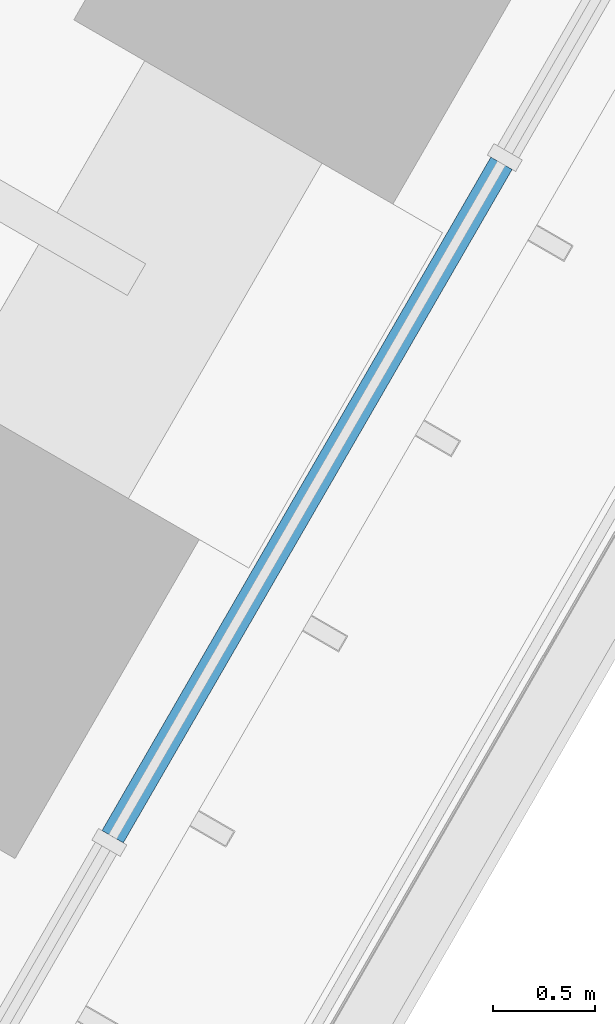
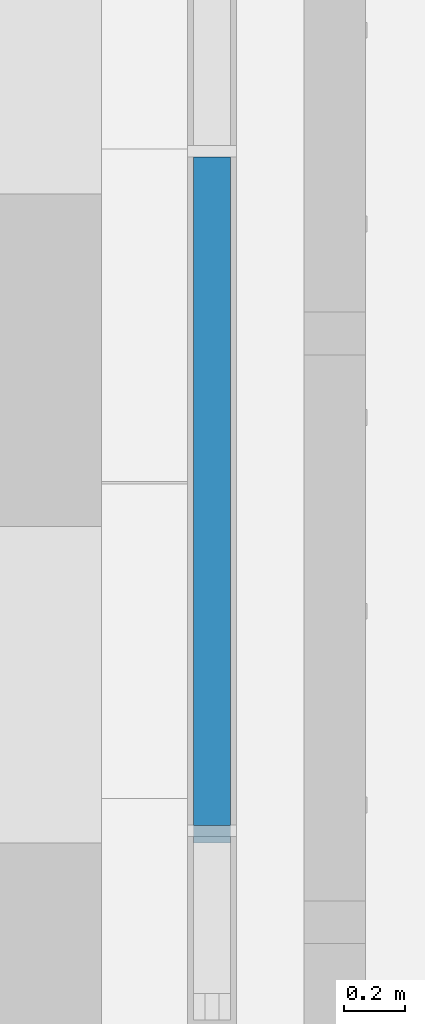
# One storey, part 83 of 228: 1 member, 1 element without a shape of its own.
"""IFC4 building model written with IfcOpenShell, lengths in metres."""

from ifc_helpers import new_model, si_unit, direction, frame, origin, origin_2d, place, context, subcontext, project, spatial, rectangle, extrude, material, material_profile, profile_set, type_object, element, aggregate, save


model = new_model("IFC4")

# Units and contexts
model_context = context("Model", 3, precision=1e-05, world=origin(), true_north=direction((0.0, 1.0)))
body_context = subcontext(model_context, "Body", "Model", "MODEL_VIEW")
ifc_project = project(units=[si_unit("LENGTHUNIT", "METRE"), si_unit("AREAUNIT", "SQUARE_METRE"), si_unit("VOLUMEUNIT", "CUBIC_METRE"), si_unit("PLANEANGLEUNIT", "RADIAN"), si_unit("MASSUNIT", "GRAM", prefix="KILO")], contexts=[model_context])

# Site, building, storey
site_placement = place(None, origin())
site = spatial("IfcSite", under=ifc_project, at=site_placement, CompositionType="ELEMENT")
building_placement = place(site_placement, origin())
building = spatial("IfcBuilding", under=site, at=building_placement, Name="Sandreach Pilgrim Tower", CompositionType="ELEMENT")
storey_placement = place(building_placement, frame((0.0, 0.0, 178.199951171875)))
storey = spatial("IfcBuildingStorey", under=building, at=storey_placement, Name="L44", CompositionType="ELEMENT", Elevation=178.199951171875)

# Curtain wall, member
ifc_material_1 = material(Name="Aluminium framed curtain wall", Category="aluminium")
curtain_wall_type = type_object("IfcCurtainWallType", Name="Upper hotel tower curtain wall", PredefinedType="NOTDEFINED", material=ifc_material_1)
curtain_wall_placement = place(storey_placement, origin())
curtain_wall = element("IfcCurtainWall", 1, at=curtain_wall_placement, inside=storey, type_object=curtain_wall_type, Name="CW-3 L44 SE", PredefinedType="NOTDEFINED")
ifc_material_2 = material(Name="Aluminium extrusion", Category="aluminium")
ifc_material_profile = material_profile(ifc_material_2, rectangle(XDim=0.1201171875, YDim=0.070068359375, at=origin_2d()), Name="CW-3T 120X70")
ifc_profile_set = profile_set([ifc_material_profile], Name="Aluminium extrusion")
member_type = type_object("IfcMemberType", Name="CW-3 transom", PredefinedType="USERDEFINED", material=ifc_profile_set)
member_placement = place(storey_placement, frame((13.478515625, -18.974853515625, 4.804931640625), z_axis=(-0.500022797313, -0.86601224135, 0.0), x_axis=(0.86601224135, -0.500022797313, 0.0)))
member = element("IfcMember", 2, at=member_placement, type_object=member_type, Name="CW-3 head transom 8", ObjectType="TRANSOM", PredefinedType="USERDEFINED", context=body_context, shape_type="SweptSolid", body=[
    extrude(rectangle(XDim=0.1201171875, YDim=0.070068359375, at=origin_2d()), origin(), (0.0, 0.0, 1.0), 3.799560546875),
])
aggregate(curtain_wall, [member])

save(model, "model.ifc")
